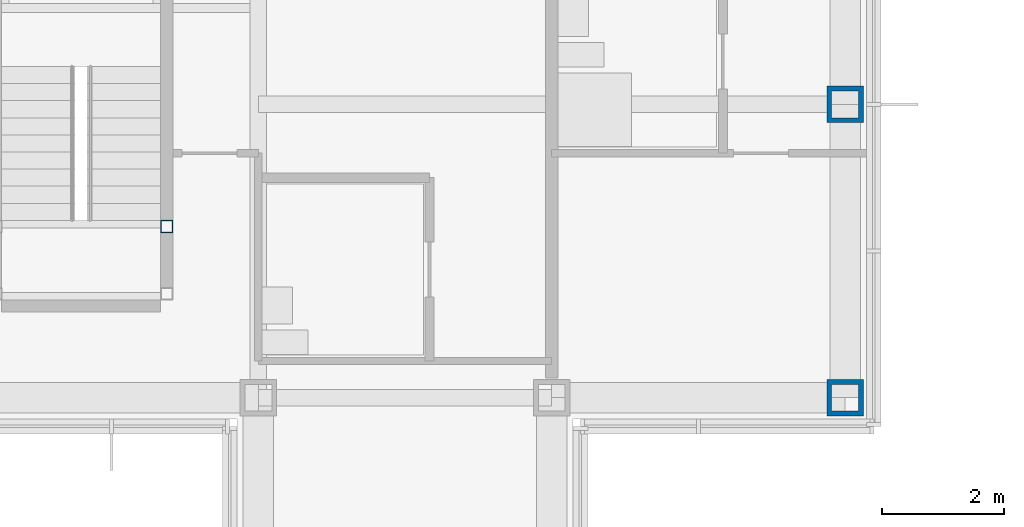
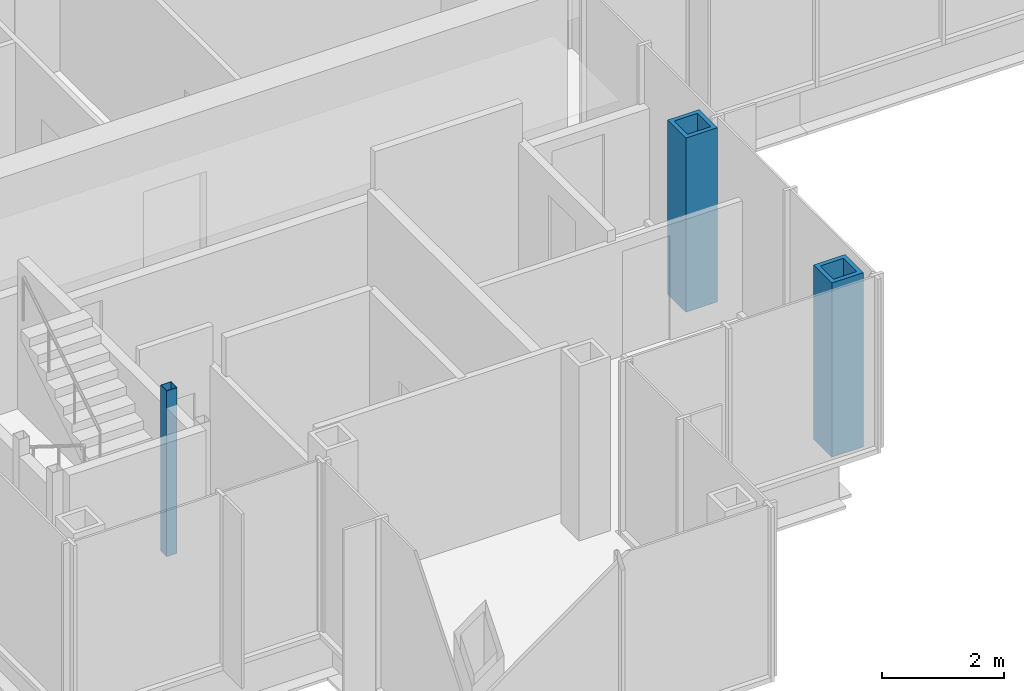
# One storey, part 2 of 17: 3 columns.
"""IFC4 building model written with IfcOpenShell, lengths in metres."""

from ifc_helpers import new_model, si_unit, direction, frame, origin, origin_2d, place, context, subcontext, project, spatial, hollow_rectangle, extrude, material, material_profile, profile_set, type_object, element, save


model = new_model("IFC4")

# Units and contexts
model_context = context("Model", 3, precision=1e-05, world=origin(), true_north=direction((0.0, 1.0)))
body_context = subcontext(model_context, "Body", "Model", "MODEL_VIEW")
ifc_project = project(units=[si_unit("LENGTHUNIT", "METRE"), si_unit("AREAUNIT", "SQUARE_METRE"), si_unit("VOLUMEUNIT", "CUBIC_METRE"), si_unit("PLANEANGLEUNIT", "RADIAN"), si_unit("MASSUNIT", "GRAM", prefix="KILO")], contexts=[model_context])

# Site, building, storey
site_placement = place(None, origin())
site = spatial("IfcSite", under=ifc_project, at=site_placement, CompositionType="ELEMENT")
building_placement = place(site_placement, origin())
building = spatial("IfcBuilding", under=site, at=building_placement, Name="Kvirike Care Tower", CompositionType="ELEMENT")
storey_placement = place(building_placement, frame((0.0, 0.0, 172.5)))
storey = spatial("IfcBuildingStorey", under=building, at=storey_placement, Name="L47", CompositionType="ELEMENT", Elevation=172.5)

# Columns
ifc_material_1 = material(Name="Steel S460", Category="steel")
ifc_material_profile_1 = material_profile(ifc_material_1, hollow_rectangle(XDim=0.60009765625, YDim=0.60009765625, WallThickness=0.080078125, at=origin_2d()), Name="BX 600x600x80")
ifc_profile_set_1 = profile_set([ifc_material_profile_1], Name="Steel S460")
column_type_1 = type_object("IfcColumnType", Name="COLUMN BX 600x600x80", PredefinedType="COLUMN", material=ifc_profile_set_1)
for number, where, z_axis, x_axis, name in (
    (1, (28.800048828125, 19.199951171875, 0.0), (0.0, 0.0, 1.0), (0.0, 1.0, 0.0), "Column E9 L47"),
    (2, (28.800048828125, 24.0, 0.0), (0.0, 0.0, 1.0), (1.0, 0.0, 0.0), "Column F9 L47"),
):
    element("IfcColumn", number, at=place(storey_placement, frame(where, z_axis=z_axis, x_axis=x_axis)), inside=storey, type_object=column_type_1, Name=name, PredefinedType="COLUMN", context=body_context, shape_type="SweptSolid", body=[
        extrude(hollow_rectangle(XDim=0.60009765625, YDim=0.60009765625, WallThickness=0.080078125, at=origin_2d()), origin(), (0.0, 0.0, 1.0), 3.5),
    ])
ifc_material_2 = material(Name="Steel S460", Category="steel")
ifc_material_profile_2 = material_profile(ifc_material_2, hollow_rectangle(XDim=0.199951171875, YDim=0.199951171875, WallThickness=0.008056640625, at=origin_2d()), Name="SHS 200x200x8")
ifc_profile_set_2 = profile_set([ifc_material_profile_2], Name="Steel S460")
column_type_2 = type_object("IfcColumnType", Name="STAIR POST SHS 200x200x8", PredefinedType="COLUMN", material=ifc_profile_set_2)
column_placement = place(storey_placement, frame((17.699951171875, 22.0, 0.0), z_axis=(0.0, 0.0, 1.0), x_axis=(1.0, 0.0, 0.0)))
element("IfcColumn", 3, at=column_placement, inside=storey, type_object=column_type_2, Name="Stair 5 post 4 L47", PredefinedType="COLUMN", context=body_context, shape_type="SweptSolid", body=[
    extrude(hollow_rectangle(XDim=0.199951171875, YDim=0.199951171875, WallThickness=0.008056640625, at=origin_2d()), origin(), (0.0, 0.0, 1.0), 3.330078125),
])

save(model, "model.ifc")
